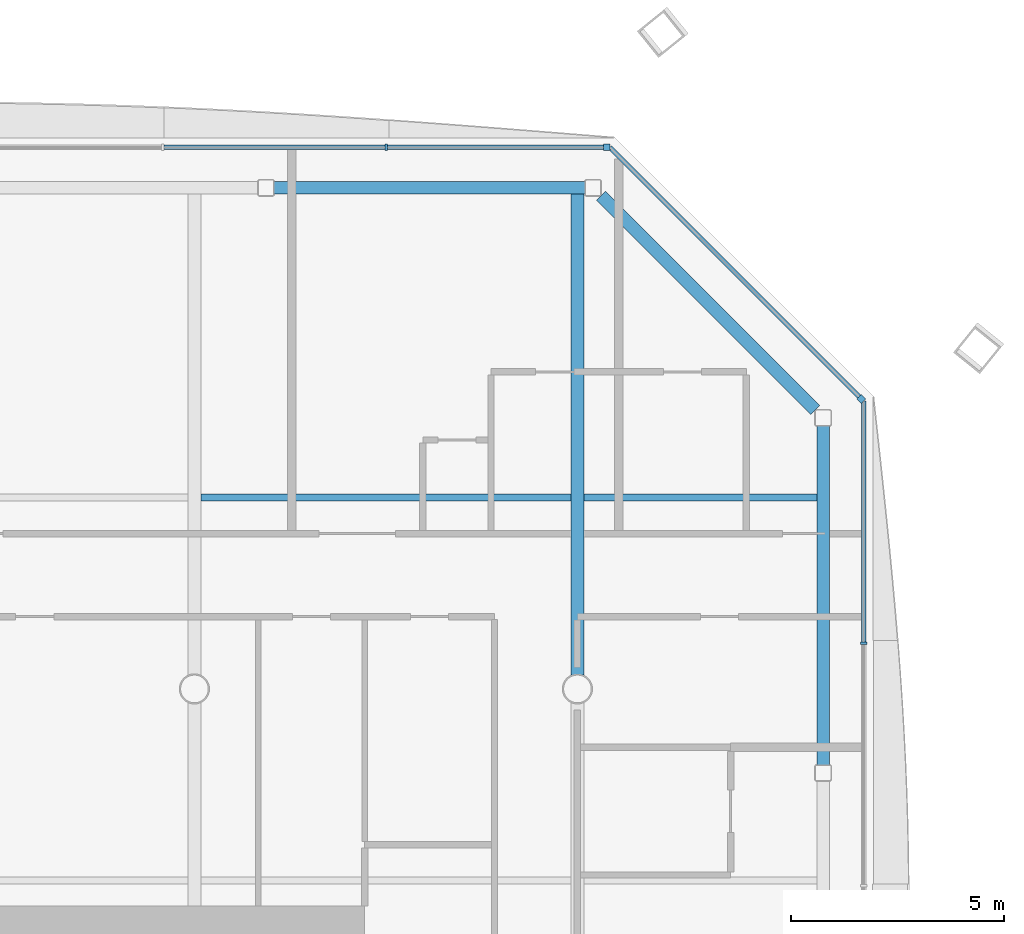
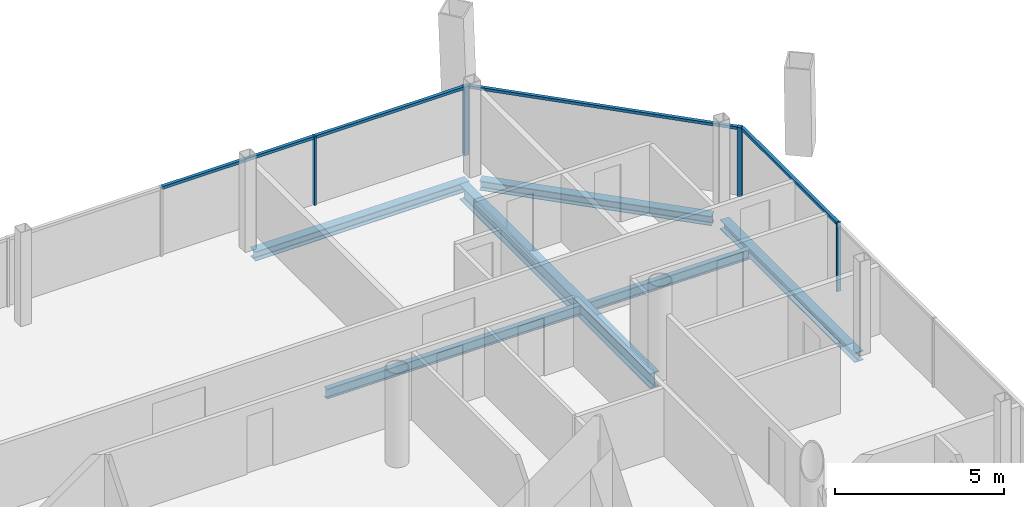
# One storey, part 9 of 17: 8 members, 6 beams, 3 elements without a shape of their own.
"""IFC4 building model written with IfcOpenShell, lengths in metres."""

from ifc_helpers import new_model, si_unit, direction, frame, origin, origin_2d, place, context, subcontext, project, spatial, rectangle, i_section, extrude, material, material_profile, profile_set, type_object, element, aggregate, save


model = new_model("IFC4")

# Units and contexts
model_context = context("Model", 3, precision=1e-05, world=origin(), true_north=direction((0.0, 1.0)))
body_context = subcontext(model_context, "Body", "Model", "MODEL_VIEW")
ifc_project = project(units=[si_unit("LENGTHUNIT", "METRE"), si_unit("AREAUNIT", "SQUARE_METRE"), si_unit("VOLUMEUNIT", "CUBIC_METRE"), si_unit("PLANEANGLEUNIT", "RADIAN"), si_unit("MASSUNIT", "GRAM", prefix="KILO")], contexts=[model_context])

# Site, building, storey
site_placement = place(None, origin())
site = spatial("IfcSite", under=ifc_project, at=site_placement, CompositionType="ELEMENT")
building_placement = place(site_placement, origin())
building = spatial("IfcBuilding", under=site, at=building_placement, Name="Tskaro Facet Tower", CompositionType="ELEMENT")
storey_placement = place(building_placement, frame((0.0, 0.0, 158.89990234375)))
storey = spatial("IfcBuildingStorey", under=building, at=storey_placement, Name="L39", CompositionType="ELEMENT", Elevation=158.89990234375)

# Curtain wall, member
ifc_material_1 = material(Name="Bronze anodised aluminium 6063-T6", Category="aluminium")
curtain_wall_type = type_object("IfcCurtainWallType", Name="Bronze hotel curtain wall (FW2)", PredefinedType="NOTDEFINED", material=ifc_material_1)
curtain_wall_1_placement = place(storey_placement, origin())
curtain_wall_1 = element("IfcCurtainWall", 1, at=curtain_wall_1_placement, inside=storey, type_object=curtain_wall_type, Name="FW2 north-east facet L39", PredefinedType="NOTDEFINED")
ifc_material_profile_1 = material_profile(ifc_material_1, rectangle(XDim=0.14990234375, YDim=0.14990234375, at=origin_2d()), Name="Corner post 150x150")
ifc_profile_set_1 = profile_set([ifc_material_profile_1], Name="Bronze anodised aluminium 6063-T6")
member_type_1 = type_object("IfcMemberType", Name="FW2 bronze corner post 150x150", PredefinedType="MULLION", material=ifc_profile_set_1)
member_1_placement = place(storey_placement, frame((24.6708984375, 15.81396484375, 0.0), z_axis=(0.0, 0.0, 1.0), x_axis=(-0.707106781187, 0.707106781187, 0.0)))
member_1 = element("IfcMember", 2, at=member_1_placement, type_object=member_type_1, Name="FW2 north-east corner post", PredefinedType="MULLION", context=body_context, shape_type="SweptSolid", body=[
    extrude(rectangle(XDim=0.14990234375, YDim=0.14990234375, at=origin_2d()), origin(), (0.0, 0.0, 1.0), 2.489990234375),
])

curtain_wall_2_placement = place(storey_placement, origin())
curtain_wall_2 = element("IfcCurtainWall", 3, at=curtain_wall_2_placement, inside=storey, type_object=curtain_wall_type, Name="FW2 north facet L39", PredefinedType="NOTDEFINED")
member_2_placement = place(storey_placement, frame((18.68603515625, 21.72412109375, 0.0), z_axis=(0.0, 0.0, 1.0), x_axis=(-1.0, 0.0, 0.0)))
member_2 = element("IfcMember", 4, at=member_2_placement, type_object=member_type_1, Name="FW2 north corner post", PredefinedType="MULLION", context=body_context, shape_type="SweptSolid", body=[
    extrude(rectangle(XDim=0.14990234375, YDim=0.14990234375, at=origin_2d()), origin(), (0.0, 0.0, 1.0), 2.489990234375),
])

curtain_wall_3_placement = place(storey_placement, origin())
curtain_wall_3 = element("IfcCurtainWall", 5, at=curtain_wall_3_placement, inside=storey, type_object=curtain_wall_type, Name="FW2 east facet L39", PredefinedType="NOTDEFINED")
ifc_material_profile_2 = material_profile(ifc_material_1, rectangle(XDim=0.06005859375, YDim=0.14990234375, at=origin_2d()), Name="Mullion 60x150")
ifc_profile_set_2 = profile_set([ifc_material_profile_2], Name="Bronze anodised aluminium 6063-T6")
member_type_2 = type_object("IfcMemberType", Name="FW2 bronze mullion 60x150", PredefinedType="MULLION", material=ifc_profile_set_2)
member_3_placement = place(storey_placement, frame((24.72412109375, 10.06884765625, 0.0), z_axis=(0.0, 0.0, 1.0), x_axis=(0.0, 1.0, 0.0)))
member_3 = element("IfcMember", 6, at=member_3_placement, type_object=member_type_2, Name="FW2 east mullion 5", PredefinedType="MULLION", context=body_context, shape_type="SweptSolid", body=[
    extrude(rectangle(XDim=0.06005859375, YDim=0.14990234375, at=origin_2d()), origin(), (0.0, 0.0, 1.0), 2.489990234375),
])

# Member
member_4_placement = place(storey_placement, frame((13.50732421875, 21.72412109375, 0.0), z_axis=(0.0, 0.0, 1.0), x_axis=(-1.0, 0.0, 0.0)))
member_4 = element("IfcMember", 7, at=member_4_placement, type_object=member_type_2, Name="FW2 north mullion 1", PredefinedType="MULLION", context=body_context, shape_type="SweptSolid", body=[
    extrude(rectangle(XDim=0.06005859375, YDim=0.14990234375, at=origin_2d()), origin(), (0.0, 0.0, 1.0), 2.489990234375),
])

ifc_material_profile_3 = material_profile(ifc_material_1, rectangle(XDim=0.110107421875, YDim=0.10009765625, at=origin_2d()), Name="Transom 110x100")
ifc_profile_set_3 = profile_set([ifc_material_profile_3], Name="Bronze anodised aluminium 6063-T6")
member_type_3 = type_object("IfcMemberType", Name="FW2 bronze transom 110x100", PredefinedType="USERDEFINED", material=ifc_profile_set_3)
member_5_placement = place(storey_placement, frame((24.72412109375, 10.098876953125, 2.440185546875), z_axis=(0.0, 1.0, 0.0), x_axis=(-1.0, 0.0, 0.0)))
member_5 = element("IfcMember", 8, at=member_5_placement, type_object=member_type_3, Name="FW2 east transom 6.1", ObjectType="TRANSOM", PredefinedType="USERDEFINED", context=body_context, shape_type="SweptSolid", body=[
    extrude(rectangle(XDim=0.110107421875, YDim=0.10009765625, at=origin_2d()), origin(), (0.0, 0.0, 1.0), 5.662109375),
])

aggregate(curtain_wall_3, [member_3, member_5])

member_6_placement = place(storey_placement, frame((24.617919921875, 15.8671875, 2.440185546875), z_axis=(-0.707106781187, 0.707106781187, 0.0), x_axis=(-0.707106781187, -0.707106781187, 0.0)))
member_6 = element("IfcMember", 9, at=member_6_placement, type_object=member_type_3, Name="FW2 north-east transom 1.1", ObjectType="TRANSOM", PredefinedType="USERDEFINED", context=body_context, shape_type="SweptSolid", body=[
    extrude(rectangle(XDim=0.110107421875, YDim=0.10009765625, at=origin_2d()), origin(), (0.0, 0.0, 1.0), 8.282958984375),
])

aggregate(curtain_wall_1, [member_1, member_6])

member_7_placement = place(storey_placement, frame((18.611083984375, 21.72412109375, 2.440185546875), z_axis=(-1.0, 0.0, 0.0), x_axis=(0.0, -1.0, 0.0)))
member_7 = element("IfcMember", 10, at=member_7_placement, type_object=member_type_3, Name="FW2 north transom 1.1", ObjectType="TRANSOM", PredefinedType="USERDEFINED", context=body_context, shape_type="SweptSolid", body=[
    extrude(rectangle(XDim=0.110107421875, YDim=0.10009765625, at=origin_2d()), origin(), (0.0, 0.0, 1.0), 5.07373046875),
])

member_8_placement = place(storey_placement, frame((13.477294921875, 21.72412109375, 2.440185546875), z_axis=(-1.0, 0.0, 0.0), x_axis=(0.0, -1.0, 0.0)))
member_8 = element("IfcMember", 11, at=member_8_placement, type_object=member_type_3, Name="FW2 north transom 2.1", ObjectType="TRANSOM", PredefinedType="USERDEFINED", context=body_context, shape_type="SweptSolid", body=[
    extrude(rectangle(XDim=0.110107421875, YDim=0.10009765625, at=origin_2d()), origin(), (0.0, 0.0, 1.0), 5.193603515625),
])

aggregate(curtain_wall_2, [member_2, member_4, member_7, member_8])

# Beams
ifc_material_2 = material(Name="Steel S355J2", Category="steel")
ifc_material_profile_4 = material_profile(ifc_material_2, i_section(OverallWidth=0.300048828125, OverallDepth=0.340087890625, WebThickness=0.011962890625, FlangeThickness=0.021484375, FilletRadius=0.027099609375, at=origin_2d()), Name="HE 340 B")
ifc_profile_set_4 = profile_set([ifc_material_profile_4], Name="Steel S355J2")
beam_type_1 = type_object("IfcBeamType", Name="HE 340 B ring beam", PredefinedType="BEAM", material=ifc_profile_set_4)
beam_1_placement = place(storey_placement, frame((23.77392578125, 7.2060546875, -0.309814453125), z_axis=(0.0, 1.0, 0.0), x_axis=(-1.0, 0.0, 0.0)))
element("IfcBeam", 12, at=beam_1_placement, inside=storey, type_object=beam_type_1, Name="HE 340 B EB9-3", PredefinedType="BEAM", context=body_context, shape_type="SweptSolid", body=[
    extrude(i_section(OverallWidth=0.300048828125, OverallDepth=0.340087890625, WebThickness=0.011962890625, FlangeThickness=0.021484375, FilletRadius=0.027099609375, at=origin_2d()), origin(), (0.0, 0.0, 1.0), 7.98193359375),
])
beam_2_placement = place(storey_placement, frame((23.588134765625, 15.553955078125, -0.309814453125), z_axis=(-0.707106781187, 0.707106781187, 0.0), x_axis=(-0.707106781187, -0.707106781187, 0.0)))
element("IfcBeam", 13, at=beam_2_placement, inside=storey, type_object=beam_type_1, Name="HE 340 B EB10-3", PredefinedType="BEAM", context=body_context, shape_type="SweptSolid", body=[
    extrude(i_section(OverallWidth=0.300048828125, OverallDepth=0.340087890625, WebThickness=0.011962890625, FlangeThickness=0.021484375, FilletRadius=0.027099609375, at=origin_2d()), origin(), (0.0, 0.0, 1.0), 7.119384765625),
])
beam_3_placement = place(storey_placement, frame((18.18798828125, 20.77392578125, -0.309814453125), z_axis=(-1.0, 0.0, 0.0), x_axis=(0.0, -1.0, 0.0)))
element("IfcBeam", 14, at=beam_3_placement, inside=storey, type_object=beam_type_1, Name="HE 340 B EB11-3", PredefinedType="BEAM", context=body_context, shape_type="SweptSolid", body=[
    extrude(i_section(OverallWidth=0.300048828125, OverallDepth=0.340087890625, WebThickness=0.011962890625, FlangeThickness=0.021484375, FilletRadius=0.027099609375, at=origin_2d()), origin(), (0.0, 0.0, 1.0), 7.323974609375),
])
ifc_material_profile_5 = material_profile(ifc_material_2, i_section(OverallWidth=0.300048828125, OverallDepth=0.5400390625, WebThickness=0.012451171875, FlangeThickness=0.02392578125, FilletRadius=0.027099609375, at=origin_2d()), Name="HE 550 A")
ifc_profile_set_5 = profile_set([ifc_material_profile_5], Name="Steel S355J2")
beam_type_2 = type_object("IfcBeamType", Name="HE 550 A long girder", PredefinedType="BEAM", material=ifc_profile_set_5)
beam_4_placement = place(storey_placement, frame((18.0, 9.325439453125, -0.409912109375), z_axis=(0.0, 1.0, 0.0), x_axis=(-1.0, 0.0, 0.0)))
element("IfcBeam", 15, at=beam_4_placement, inside=storey, type_object=beam_type_2, Name="HE 550 A LGB6-4-3", PredefinedType="BEAM", context=body_context, shape_type="SweptSolid", body=[
    extrude(i_section(OverallWidth=0.300048828125, OverallDepth=0.5400390625, WebThickness=0.012451171875, FlangeThickness=0.02392578125, FilletRadius=0.027099609375, at=origin_2d()), origin(), (0.0, 0.0, 1.0), 11.298583984375),
])
ifc_material_profile_6 = material_profile(ifc_material_2, i_section(OverallWidth=0.169921875, OverallDepth=0.360107421875, WebThickness=0.008056640625, FlangeThickness=0.0126953125, FilletRadius=0.01806640625, at=origin_2d()), Name="IPE 360")
ifc_profile_set_6 = profile_set([ifc_material_profile_6], Name="Steel S355J2")
beam_type_3 = type_object("IfcBeamType", Name="IPE 360 secondary beam", PredefinedType="BEAM", material=ifc_profile_set_6)
beam_5_placement = place(storey_placement, frame((9.14990234375, 13.5, -0.31982421875), z_axis=(1.0, 0.0, 0.0), x_axis=(0.0, 1.0, 0.0)))
element("IfcBeam", 16, at=beam_5_placement, inside=storey, type_object=beam_type_3, Name="IPE 360 SB5a-4-3", PredefinedType="BEAM", context=body_context, shape_type="SweptSolid", body=[
    extrude(i_section(OverallWidth=0.169921875, OverallDepth=0.360107421875, WebThickness=0.008056640625, FlangeThickness=0.0126953125, FilletRadius=0.01806640625, at=origin_2d()), origin(), (0.0, 0.0, 1.0), 8.7001953125),
])
beam_6_placement = place(storey_placement, frame((18.14990234375, 13.5, -0.31982421875), z_axis=(1.0, 0.0, 0.0), x_axis=(0.0, 1.0, 0.0)))
element("IfcBeam", 17, at=beam_6_placement, inside=storey, type_object=beam_type_3, Name="IPE 360 SB5a-5-3", PredefinedType="BEAM", context=body_context, shape_type="SweptSolid", body=[
    extrude(i_section(OverallWidth=0.169921875, OverallDepth=0.360107421875, WebThickness=0.008056640625, FlangeThickness=0.0126953125, FilletRadius=0.01806640625, at=origin_2d()), origin(), (0.0, 0.0, 1.0), 5.47412109375),
])

save(model, "model.ifc")
